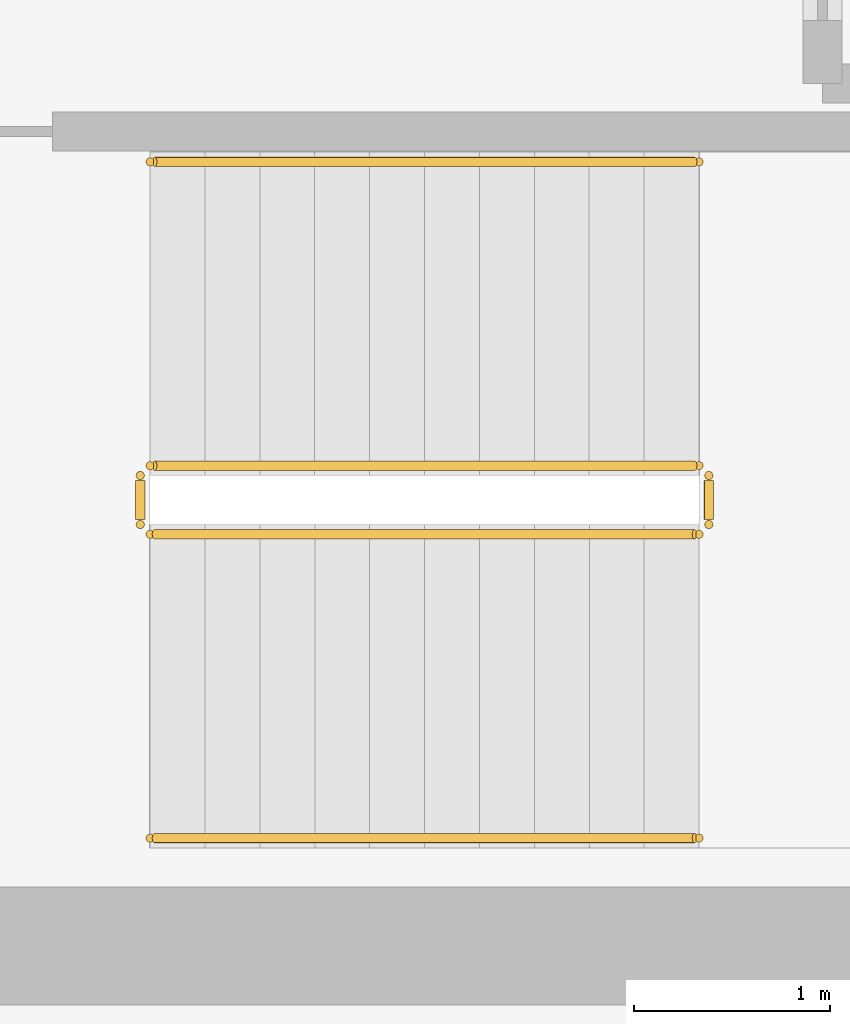
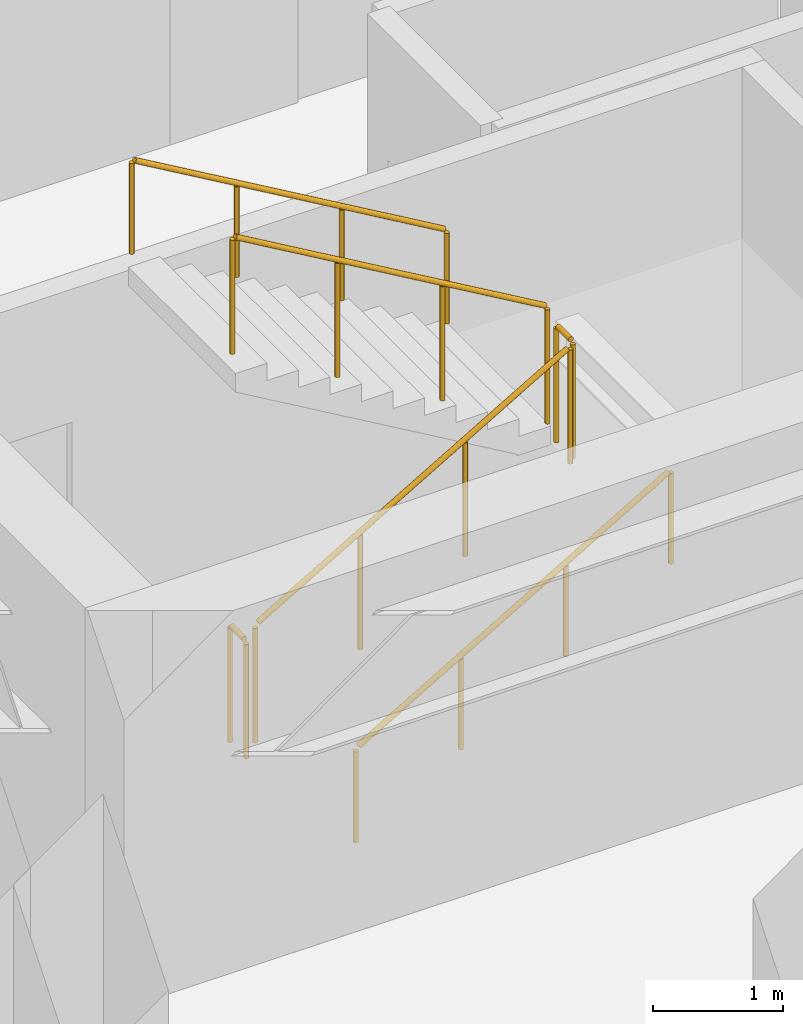
# One storey, part 13 of 13: 6 railings.
"""IFC4 building model written with IfcOpenShell, lengths in metres."""

import ifcopenshell
import ifcopenshell.guid

model = None  # the IFC model being written
_history = None  # IfcOwnerHistory: only IFC2X3 demands one
_inside = {}  # id of a spatial element -> (the spatial element, [elements in it])
_under = {}  # id of a project, library or spatial element -> (it, [spatial elements below it])
_declared = {}  # id of a project -> (the project, [libraries it declares])
_typed = {}  # id of a type object -> (the type object, [elements of that type])
_made_of = {}  # id of a material, layer set ... -> (it, [elements and type objects made of it])


def new_model(schema):
    """Start an empty IFC model of exactly this schema.

    Asked for "IFC4X3", IfcOpenShell would pick the latest addendum, in which some entities
    have other attributes; the version numbers below select the first issue.
    IFC2X3 requires an IfcOwnerHistory on every rooted entity: one is made here for all.
    """
    global model, _history
    if schema == "IFC4X3":
        model = ifcopenshell.file(schema_version=(4, 3, 0, 0))
    else:
        model = ifcopenshell.file(schema=schema)
    _inside.clear()
    _under.clear()
    _declared.clear()
    _typed.clear()
    _made_of.clear()
    _history = None
    if model.schema == "IFC2X3":
        org = make("IfcOrganization", Name="unknown")
        user = make(
            "IfcPersonAndOrganization",
            ThePerson=make("IfcPerson", FamilyName="unknown"),
            TheOrganization=org,
        )
        app = make(
            "IfcApplication",
            ApplicationDeveloper=org,
            Version="unknown",
            ApplicationFullName="unknown",
            ApplicationIdentifier="unknown",
        )
        _history = make(
            "IfcOwnerHistory",
            OwningUser=user,
            OwningApplication=app,
            ChangeAction="ADDED",
            CreationDate=0,
        )
    return model


def make(cls, **values):
    """One entity of the class cls with the attributes given. An attribute that is None is left unset."""
    return model.create_entity(
        cls, **{name: value for name, value in values.items() if value is not None}
    )


def rooted(cls, **values):
    """An entity with a GlobalId (a new one), such as an element, a storey or a relation."""
    return make(cls, GlobalId=ifcopenshell.guid.new(), OwnerHistory=_history, **values)


def si_unit(unit_type, name, prefix=None):
    """IfcSIUnit, for example si_unit("LENGTHUNIT", "METRE", prefix="MILLI")."""
    return make("IfcSIUnit", UnitType=unit_type, Prefix=prefix, Name=name)


def assignment(units):
    """IfcUnitAssignment: the units of a project."""
    return None if units is None else make("IfcUnitAssignment", Units=units)


def point(xyz):
    """IfcCartesianPoint."""
    return None if xyz is None else make("IfcCartesianPoint", Coordinates=xyz)


def direction(xyz):
    """IfcDirection."""
    return None if xyz is None else make("IfcDirection", DirectionRatios=xyz)


def frame(location, z_axis=None, x_axis=None):
    """IfcAxis2Placement3D, a coordinate frame: its origin and axes. An axis left out is left unset."""
    return make(
        "IfcAxis2Placement3D",
        Location=point(location),
        Axis=direction(z_axis),
        RefDirection=direction(x_axis),
    )


def frame_2d(location, x_axis=None):
    """IfcAxis2Placement2D, a coordinate frame in the plane: its origin and x axis."""
    return make(
        "IfcAxis2Placement2D", Location=point(location), RefDirection=direction(x_axis)
    )


def origin():
    """The frame at (0, 0, 0) with its axes left unset."""
    return frame((0.0, 0.0, 0.0))


def origin_2d():
    """The frame at (0, 0) in the plane with its x axis left unset."""
    return frame_2d((0.0, 0.0))


def place(relative_to, where):
    """IfcLocalPlacement: puts the frame where relative to a parent placement (None: the world)."""
    return make(
        "IfcLocalPlacement", PlacementRelTo=relative_to, RelativePlacement=where
    )


def context(
    kind, dimensions, precision=None, world=None, true_north=None, identifier=None
):
    """IfcGeometricRepresentationContext, for example the 3D "Model" context."""
    return make(
        "IfcGeometricRepresentationContext",
        ContextIdentifier=identifier,
        ContextType=kind,
        CoordinateSpaceDimension=dimensions,
        Precision=precision,
        WorldCoordinateSystem=world,
        TrueNorth=true_north,
    )


def subcontext(parent, identifier, kind, view, scale=None):
    """IfcGeometricRepresentationSubContext, for example "Body" below "Model"."""
    return make(
        "IfcGeometricRepresentationSubContext",
        ContextIdentifier=identifier,
        ContextType=kind,
        ParentContext=parent,
        TargetScale=scale,
        TargetView=view,
    )


def project(units=None, contexts=None):
    """IfcProject with its units and contexts."""
    return rooted(
        "IfcProject",
        Name="project",
        RepresentationContexts=contexts,
        UnitsInContext=assignment(units),
    )


def spatial(cls, under=None, at=None, **own):
    """A site, building, storey or space (cls), placed at a placement, below another one or the project."""
    s = rooted(cls, ObjectPlacement=at, **own)
    if under is not None:
        _under.setdefault(under.id(), (under, []))[1].append(s)
    return s


def profile(cls, at=None, kind="AREA", **sizes):
    """A parametric profile (cls). Its sizes go by their IFC names, for example OverallWidth=200.0."""
    return make(cls, ProfileType=kind, Position=at, **sizes)


def circle(**sizes):
    """IfcCircleProfileDef."""
    return profile("IfcCircleProfileDef", **sizes)


def extrude(swept, where, along, depth):
    """IfcExtrudedAreaSolid: the profile swept, set in the frame where, extruded along a direction by depth."""
    return make(
        "IfcExtrudedAreaSolid",
        SweptArea=swept,
        Position=where,
        ExtrudedDirection=direction(along),
        Depth=depth,
    )


def shape(context_of_items, identifier, shape_type, items):
    """IfcShapeRepresentation: the items that make up one representation, for example the "Body"."""
    return make(
        "IfcShapeRepresentation",
        ContextOfItems=context_of_items,
        RepresentationIdentifier=identifier,
        RepresentationType=shape_type,
        Items=items,
    )


def source(mapping_origin, context_of_items, identifier, shape_type, items):
    """IfcRepresentationMap: a shape defined once, which mapped items show again and again."""
    return make(
        "IfcRepresentationMap",
        MappingOrigin=mapping_origin,
        MappedRepresentation=shape(context_of_items, identifier, shape_type, items),
    )


def transform(
    local_origin,
    x_axis=None,
    y_axis=None,
    z_axis=None,
    scale=None,
    scale2=None,
    scale3=None,
    uniform=True,
):
    """IfcCartesianTransformationOperator3D, or its non-uniform kind. x_axis, y_axis, z_axis: its Axis1, 2, 3."""
    if uniform:
        return make(
            "IfcCartesianTransformationOperator3D",
            Axis1=direction(x_axis),
            Axis2=direction(y_axis),
            LocalOrigin=point(local_origin),
            Scale=scale,
            Axis3=direction(z_axis),
        )
    return make(
        "IfcCartesianTransformationOperator3DnonUniform",
        Axis1=direction(x_axis),
        Axis2=direction(y_axis),
        LocalOrigin=point(local_origin),
        Scale=scale,
        Axis3=direction(z_axis),
        Scale2=scale2,
        Scale3=scale3,
    )


def mapped(mapping_source, mapping_target):
    """IfcMappedItem: shows the shape of a source again, moved by a transform."""
    return make(
        "IfcMappedItem", MappingSource=mapping_source, MappingTarget=mapping_target
    )


def material(Name=None, Category=None):
    """IfcMaterial."""
    return make("IfcMaterial", Name=Name, Category=Category)


def layer(
    of_material, thickness, ventilated=None, Name=None, Category=None, Priority=None
):
    """IfcMaterialLayer: one layer of a wall or slab, of a material (None: an air gap)."""
    return make(
        "IfcMaterialLayer",
        Material=of_material,
        LayerThickness=thickness,
        IsVentilated=ventilated,
        Name=Name,
        Category=Category,
        Priority=Priority,
    )


def layer_set(layers, Name=None):
    """IfcMaterialLayerSet."""
    return make("IfcMaterialLayerSet", MaterialLayers=layers, LayerSetName=Name)


def made_of(thing, what):
    """Note that an element or type object is made of a material, layer set ...; save() writes the relation."""
    if what is not None:
        _made_of.setdefault(what.id(), (what, []))[1].append(thing)
    return thing


def type_object(cls, material=None, **own):
    """A type object (cls), such as IfcWallType, which elements share."""
    return made_of(rooted(cls, **own), material)


def element(
    cls,
    number,
    at=None,
    inside=None,
    cuts=None,
    type_object=None,
    material=None,
    context=None,
    identifier="Body",
    shape_type=None,
    held_by="IfcProductDefinitionShape",
    body=None,
    shapes=None,
    **own,
):
    """One element of the class cls, such as IfcWall. Its Tag is "e" and its number.

    at: its placement. inside: the storey or other place that contains it. cuts: it is an
    opening in that element (IfcRelVoidsElement). A single representation is given by context,
    identifier, shape_type and body (its items); several are given by shapes. held_by: the class
    of the entity that holds the representations. save() writes the other relations.
    """
    e = rooted(cls, Tag="e%d" % number, ObjectPlacement=at, **own)
    if body is not None:
        shapes = [shape(context, identifier, shape_type, body)]
    if shapes is not None:
        e.Representation = make(held_by, Representations=shapes)
    if inside is not None:
        _inside.setdefault(inside.id(), (inside, []))[1].append(e)
    if cuts is not None:
        rooted(
            "IfcRelVoidsElement", RelatingBuildingElement=cuts, RelatedOpeningElement=e
        )
    if type_object is not None:
        _typed.setdefault(type_object.id(), (type_object, []))[1].append(e)
    return made_of(e, material)


def aggregate(whole, parts):
    """IfcRelAggregates: a whole, such as a stair, and the parts it consists of."""
    return rooted("IfcRelAggregates", RelatingObject=whole, RelatedObjects=parts)


def save(model, path):
    """Write the relations noted so far, then the file.

    IfcRelAggregates (storeys below a building ...), IfcRelContainedInSpatialStructure (elements
    in a storey), IfcRelDefinesByType, IfcRelAssociatesMaterial and IfcRelDeclares: one each for
    every whole, place, type object, material and project.
    """
    for whole, parts in _under.values():
        aggregate(whole, parts)
    for where, things in _inside.values():
        rooted(
            "IfcRelContainedInSpatialStructure",
            RelatedElements=things,
            RelatingStructure=where,
        )
    for kind, things in _typed.values():
        rooted("IfcRelDefinesByType", RelatedObjects=things, RelatingType=kind)
    for what, things in _made_of.values():
        rooted("IfcRelAssociatesMaterial", RelatedObjects=things, RelatingMaterial=what)
    for by, libraries in _declared.values():
        rooted("IfcRelDeclares", RelatingContext=by, RelatedDefinitions=libraries)
    model.write(path)


model = new_model("IFC4")

# Units and contexts
model_context = context("Model", 3, precision=1e-05, world=origin(), true_north=direction((0.0, 1.0)))
body_context = subcontext(model_context, "Body", "Model", "MODEL_VIEW")
ifc_project = project(units=[si_unit("LENGTHUNIT", "METRE"), si_unit("AREAUNIT", "SQUARE_METRE"), si_unit("VOLUMEUNIT", "CUBIC_METRE"), si_unit("PLANEANGLEUNIT", "RADIAN"), si_unit("MASSUNIT", "GRAM", prefix="KILO")], contexts=[model_context])

# Site, building, storey
site_placement = place(None, origin())
site = spatial("IfcSite", under=ifc_project, at=site_placement, CompositionType="ELEMENT")
building_placement = place(site_placement, origin())
building = spatial("IfcBuilding", under=site, at=building_placement, Name="Kharzan Plaza Tower", CompositionType="ELEMENT")
storey_placement = place(building_placement, frame((0.0, 0.0, 197.10009765625)))
storey = spatial("IfcBuildingStorey", under=building, at=storey_placement, Name="L53", CompositionType="ELEMENT", Elevation=197.10009765625)

# Railings
ifc_material_1 = material(Name="Painted Galvanized Architectural Steel", Category="steel")
ifc_layer_1 = layer(ifc_material_1, 0.074951171875)
ifc_layer_set_1 = layer_set([ifc_layer_1], Name="Painted Galvanized Architectural Steel")
railing_type_1 = type_object("IfcRailingType", Name="RL-GUARD-1120", PredefinedType="BALUSTRADE", material=ifc_layer_set_1)
shared_shape_1 = source(origin(), body_context, "Body", "SweptSolid", [
    extrude(circle(Radius=0.02392578125, at=origin_2d()), frame((0.0, 0.0263671875, 1.09619140625), z_axis=(0.0, 1.0, 0.0), x_axis=(-1.0, 0.0, 0.0)), (0.0, 0.0, 1.0), 0.197021484375),
    extrude(circle(Radius=0.02099609375, at=origin_2d()), origin(), (0.0, 0.0, 1.0), 1.072021484375),
    extrude(circle(Radius=0.02099609375, at=origin_2d()), frame((0.0, 0.25, 0.0)), (0.0, 0.0, 1.0), 1.072021484375),
])
for number, where, name in (
    (1, (41.10009765625, 6.64990234375, 1.7998046875), "L53 ST-3 stair guard 2"),
    (2, (38.199951171875, 6.64990234375, 0.0), "L53 ST-3 stair guard 4"),
):
    element("IfcRailing", number, at=place(storey_placement, frame(where)), inside=storey, type_object=railing_type_1, Name=name, PredefinedType="BALUSTRADE", context=body_context, shape_type="MappedRepresentation", body=[
        mapped(shared_shape_1, transform((0.0, 0.0, 0.0), x_axis=(1.0, 0.0, 0.0), y_axis=(0.0, 1.0, 0.0), z_axis=(0.0, 0.0, 1.0))),
    ])
shared_shape_2 = source(origin(), body_context, "Body", "SweptSolid", [
    extrude(circle(Radius=0.02392578125, at=origin_2d()), frame((0.02294921875, 0.0, 1.109375), z_axis=(0.863393664356, 0.0, 0.504530851732), x_axis=(0.0, 1.0, 0.0)), (0.0, 0.0, 1.0), 3.190185546875),
    extrude(circle(Radius=0.02099609375, at=origin_2d()), origin(), (0.0, 0.0, 1.0), 1.072021484375),
    extrude(circle(Radius=0.02099609375, at=origin_2d()), frame((0.933349609375, 0.0, 0.54541015625)), (0.0, 0.0, 1.0), 1.072021484375),
    extrude(circle(Radius=0.02099609375, at=origin_2d()), frame((1.86669921875, 0.0, 1.0908203125)), (0.0, 0.0, 1.0), 1.072021484375),
    extrude(circle(Radius=0.02099609375, at=origin_2d()), frame((2.800048828125, 0.0, 1.63623046875)), (0.0, 0.0, 1.0), 1.072021484375),
])
railing_1_placement = place(storey_placement, frame((38.25, 6.60009765625, 0.16357421875)))
element("IfcRailing", 3, at=railing_1_placement, inside=storey, type_object=railing_type_1, Name="L53 ST-3 stair guard 1", PredefinedType="BALUSTRADE", context=body_context, shape_type="MappedRepresentation", body=[
    mapped(shared_shape_2, transform((0.0, 0.0, 0.0), x_axis=(1.0, 0.0, 0.0), y_axis=(0.0, 1.0, 0.0), z_axis=(0.0, 0.0, 1.0))),
])
shared_shape_3 = source(origin(), body_context, "Body", "SweptSolid", [
    extrude(circle(Radius=0.02392578125, at=origin_2d()), frame((-0.02294921875, 0.0, 1.109375), z_axis=(-0.863393664356, 0.0, 0.504530851732), x_axis=(0.0, -1.0, 0.0)), (0.0, 0.0, 1.0), 3.190185546875),
    extrude(circle(Radius=0.02099609375, at=origin_2d()), origin(), (0.0, 0.0, 1.0), 1.072021484375),
    extrude(circle(Radius=0.02099609375, at=origin_2d()), frame((-0.933349609375, 0.0, 0.54541015625)), (0.0, 0.0, 1.0), 1.072021484375),
    extrude(circle(Radius=0.02099609375, at=origin_2d()), frame((-1.86669921875, 0.0, 1.0908203125)), (0.0, 0.0, 1.0), 1.072021484375),
    extrude(circle(Radius=0.02099609375, at=origin_2d()), frame((-2.800048828125, 0.0, 1.63623046875)), (0.0, 0.0, 1.0), 1.072021484375),
])
railing_2_placement = place(storey_placement, frame((41.050048828125, 6.949951171875, 1.963623046875)))
element("IfcRailing", 4, at=railing_2_placement, inside=storey, type_object=railing_type_1, Name="L53 ST-3 stair guard 3", PredefinedType="BALUSTRADE", context=body_context, shape_type="MappedRepresentation", body=[
    mapped(shared_shape_3, transform((0.0, 0.0, 0.0), x_axis=(1.0, 0.0, 0.0), y_axis=(0.0, 1.0, 0.0), z_axis=(0.0, 0.0, 1.0))),
])
ifc_material_2 = material(Name="Brushed Stainless Steel", Category="steel")
ifc_layer_2 = layer(ifc_material_2, 0.050048828125)
ifc_layer_set_2 = layer_set([ifc_layer_2], Name="Brushed Stainless Steel")
railing_type_2 = type_object("IfcRailingType", Name="RL-STAIR-HR920", PredefinedType="HANDRAIL", material=ifc_layer_set_2)
shared_shape_4 = source(origin(), body_context, "Body", "SweptSolid", [
    extrude(circle(Radius=0.02392578125, at=origin_2d()), frame((0.02294921875, 0.0, 0.88916015625), z_axis=(0.863393664356, 0.0, 0.504530851732), x_axis=(0.0, 1.0, 0.0)), (0.0, 0.0, 1.0), 3.190185546875),
    extrude(circle(Radius=0.02099609375, at=origin_2d()), origin(), (0.0, 0.0, 1.0), 0.851806640625),
    extrude(circle(Radius=0.02099609375, at=origin_2d()), frame((0.933349609375, 0.0, 0.54541015625)), (0.0, 0.0, 1.0), 0.851806640625),
    extrude(circle(Radius=0.02099609375, at=origin_2d()), frame((1.86669921875, 0.0, 1.0908203125)), (0.0, 0.0, 1.0), 0.851806640625),
    extrude(circle(Radius=0.02099609375, at=origin_2d()), frame((2.800048828125, 0.0, 1.63623046875)), (0.0, 0.0, 1.0), 0.851806640625),
])
railing_3_placement = place(storey_placement, frame((38.25, 5.050048828125, 0.16357421875)))
element("IfcRailing", 5, at=railing_3_placement, inside=storey, type_object=railing_type_2, Name="L53 ST-3 stair handrail 1", PredefinedType="HANDRAIL", context=body_context, shape_type="MappedRepresentation", body=[
    mapped(shared_shape_4, transform((0.0, 0.0, 0.0), x_axis=(1.0, 0.0, 0.0), y_axis=(0.0, 1.0, 0.0), z_axis=(0.0, 0.0, 1.0))),
])
shared_shape_5 = source(origin(), body_context, "Body", "SweptSolid", [
    extrude(circle(Radius=0.02392578125, at=origin_2d()), frame((-0.02294921875, 0.0, 0.88916015625), z_axis=(-0.863393664356, 0.0, 0.504530851732), x_axis=(0.0, -1.0, 0.0)), (0.0, 0.0, 1.0), 3.190185546875),
    extrude(circle(Radius=0.02099609375, at=origin_2d()), origin(), (0.0, 0.0, 1.0), 0.851806640625),
    extrude(circle(Radius=0.02099609375, at=origin_2d()), frame((-0.933349609375, 0.0, 0.54541015625)), (0.0, 0.0, 1.0), 0.851806640625),
    extrude(circle(Radius=0.02099609375, at=origin_2d()), frame((-1.86669921875, 0.0, 1.0908203125)), (0.0, 0.0, 1.0), 0.851806640625),
    extrude(circle(Radius=0.02099609375, at=origin_2d()), frame((-2.800048828125, 0.0, 1.63623046875)), (0.0, 0.0, 1.0), 0.851806640625),
])
railing_4_placement = place(storey_placement, frame((41.050048828125, 8.5, 1.963623046875)))
element("IfcRailing", 6, at=railing_4_placement, inside=storey, type_object=railing_type_2, Name="L53 ST-3 stair handrail 2", PredefinedType="HANDRAIL", context=body_context, shape_type="MappedRepresentation", body=[
    mapped(shared_shape_5, transform((0.0, 0.0, 0.0), x_axis=(1.0, 0.0, 0.0), y_axis=(0.0, 1.0, 0.0), z_axis=(0.0, 0.0, 1.0))),
])

save(model, "model.ifc")
